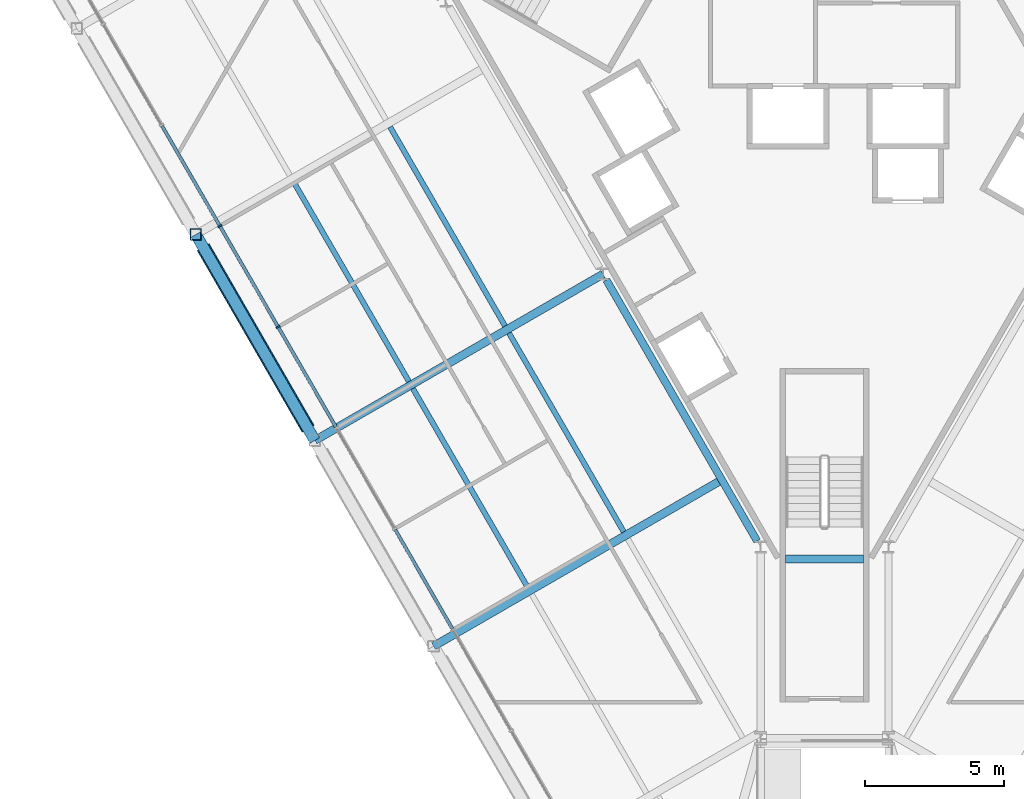
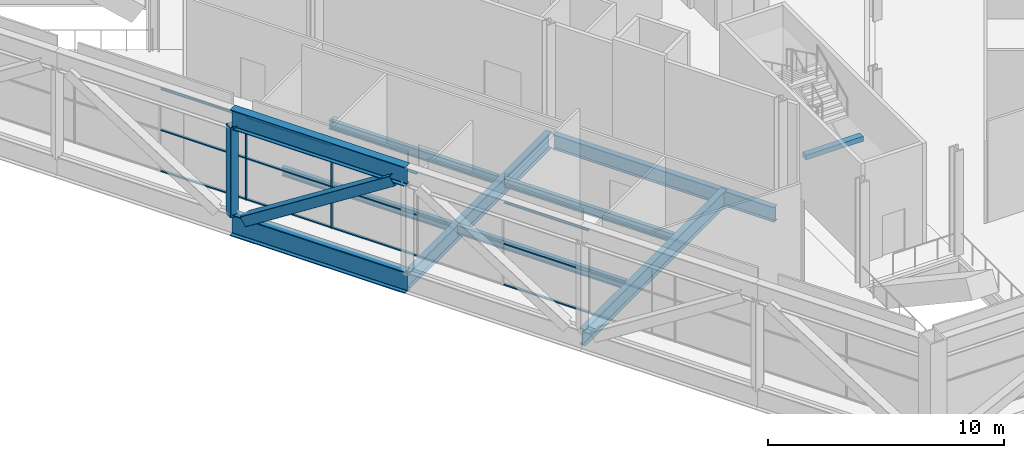
# One storey, part 3 of 20: 18 members, 8 beams, 1 element without a shape of its own.
"""IFC4 building model written with IfcOpenShell, lengths in metres."""

from ifc_helpers import new_model, si_unit, direction, frame, origin, origin_2d, place, context, subcontext, project, spatial, rectangle, hollow_rectangle, i_section, extrude, material, layer, layer_set, material_profile, profile_set, type_object, element, aggregate, save


model = new_model("IFC4")

# Units and contexts
model_context = context("Model", 3, precision=1e-05, world=origin(), true_north=direction((0.0, 1.0)))
body_context = subcontext(model_context, "Body", "Model", "MODEL_VIEW")
ifc_project = project(units=[si_unit("LENGTHUNIT", "METRE"), si_unit("AREAUNIT", "SQUARE_METRE"), si_unit("VOLUMEUNIT", "CUBIC_METRE"), si_unit("PLANEANGLEUNIT", "RADIAN"), si_unit("MASSUNIT", "GRAM", prefix="KILO")], contexts=[model_context])

# Site, building, storey
site_placement = place(None, origin())
site = spatial("IfcSite", under=ifc_project, at=site_placement, CompositionType="ELEMENT")
building_placement = place(site_placement, origin())
building = spatial("IfcBuilding", under=site, at=building_placement, Name="Verrane Prism Tower", CompositionType="ELEMENT")
storey_placement = place(building_placement, frame((0.0, 0.0, 12.0)))
storey = spatial("IfcBuildingStorey", under=building, at=storey_placement, Name="L01", CompositionType="ELEMENT", Elevation=12.0)

# Curtain wall, members
ifc_material_1 = material(Name="Aluminium and glass curtain wall", Category="aluminium")
ifc_layer = layer(ifc_material_1, 0.199951171875)
ifc_layer_set = layer_set([ifc_layer], Name="CWB-1 retail curtain wall")
curtain_wall_type = type_object("IfcCurtainWallType", Name="CWB-1 retail curtain wall", PredefinedType="NOTDEFINED", material=ifc_layer_set)
curtain_wall_placement = place(storey_placement, origin())
curtain_wall = element("IfcCurtainWall", 1, at=curtain_wall_placement, inside=storey, type_object=curtain_wall_type, Name="Retail curtain wall L01 4", PredefinedType="NOTDEFINED")
ifc_material_2 = material(Name="Aluminium", Category="aluminium")
ifc_material_profile_1 = material_profile(ifc_material_2, rectangle(XDim=0.159912109375, YDim=0.06005859375, at=origin_2d()), Name="CWB-M 60x160 mullion")
ifc_profile_set_1 = profile_set([ifc_material_profile_1], Name="Aluminium")
member_type_1 = type_object("IfcMemberType", Name="CWB-M 60x160 mullion", PredefinedType="MULLION", material=ifc_profile_set_1)
member_1_placement = place(storey_placement, frame((-21.74560546875, -2.87548828125, 0.0), z_axis=(0.0, 0.0, 1.0), x_axis=(0.866025335097, 0.50000011897, 0.0)))
member_1 = element("IfcMember", 2, at=member_1_placement, type_object=member_type_1, Name="CWB14 mullion 5", PredefinedType="MULLION", context=body_context, shape_type="SweptSolid", body=[
    extrude(rectangle(XDim=0.159912109375, YDim=0.06005859375, at=origin_2d()), origin(), (0.0, 0.0, 1.0), 4.2900390625),
])
member_2_placement = place(storey_placement, frame((-19.64990234375, -6.505126953125, 0.0), z_axis=(0.0, 0.0, 1.0), x_axis=(0.866025335097, 0.50000011897, 0.0)))
member_2 = element("IfcMember", 3, at=member_2_placement, type_object=member_type_1, Name="CWB14 mullion 6", PredefinedType="MULLION", context=body_context, shape_type="SweptSolid", body=[
    extrude(rectangle(XDim=0.159912109375, YDim=0.06005859375, at=origin_2d()), origin(), (0.0, 0.0, 1.0), 4.2900390625),
])
ifc_material_3 = material(Name="Aluminium", Category="aluminium")
ifc_material_profile_2 = material_profile(ifc_material_3, rectangle(XDim=0.1201171875, YDim=0.06005859375, at=origin_2d()), Name="CWB-T 60x120 transom")
ifc_profile_set_2 = profile_set([ifc_material_profile_2], Name="Aluminium")
member_type_2 = type_object("IfcMemberType", Name="CWB-T 60x120 transom", PredefinedType="USERDEFINED", material=ifc_profile_set_2)
member_3_placement = place(storey_placement, frame((-23.826416015625, 0.728271484375, 0.030029296875), z_axis=(0.500022567122, -0.866012374259, 0.0), x_axis=(0.866012374259, 0.500022567122, 0.0)))
member_3 = element("IfcMember", 4, at=member_3_placement, type_object=member_type_2, Name="CWB14 transom 4.1", ObjectType="TRANSOM", PredefinedType="USERDEFINED", context=body_context, shape_type="SweptSolid", body=[
    extrude(rectangle(XDim=0.1201171875, YDim=0.06005859375, at=origin_2d()), origin(), (0.0, 0.0, 1.0), 4.131103515625),
])
member_4_placement = place(storey_placement, frame((-23.826416015625, 0.728271484375, 2.14501953125), z_axis=(0.500022567122, -0.866012374259, 0.0), x_axis=(0.866012374259, 0.500022567122, 0.0)))
member_4 = element("IfcMember", 5, at=member_4_placement, type_object=member_type_2, Name="CWB14 transom 4.2", ObjectType="TRANSOM", PredefinedType="USERDEFINED", context=body_context, shape_type="SweptSolid", body=[
    extrude(rectangle(XDim=0.1201171875, YDim=0.06005859375, at=origin_2d()), origin(), (0.0, 0.0, 1.0), 4.131103515625),
])
member_5_placement = place(storey_placement, frame((-23.826416015625, 0.728271484375, 4.260009765625), z_axis=(0.500022567122, -0.866012374259, 0.0), x_axis=(0.866012374259, 0.500022567122, 0.0)))
member_5 = element("IfcMember", 6, at=member_5_placement, type_object=member_type_2, Name="CWB14 transom 4.3", ObjectType="TRANSOM", PredefinedType="USERDEFINED", context=body_context, shape_type="SweptSolid", body=[
    extrude(rectangle(XDim=0.1201171875, YDim=0.06005859375, at=origin_2d()), origin(), (0.0, 0.0, 1.0), 4.131103515625),
])
member_6_placement = place(storey_placement, frame((-21.730712890625, -2.9013671875, 0.030029296875), z_axis=(0.499996977546, -0.866027148792, 0.0), x_axis=(0.866027148792, 0.499996977546, 0.0)))
member_6 = element("IfcMember", 7, at=member_6_placement, type_object=member_type_2, Name="CWB14 transom 5.1", ObjectType="TRANSOM", PredefinedType="USERDEFINED", context=body_context, shape_type="SweptSolid", body=[
    extrude(rectangle(XDim=0.1201171875, YDim=0.06005859375, at=origin_2d()), origin(), (0.0, 0.0, 1.0), 4.13134765625),
])
member_7_placement = place(storey_placement, frame((-21.730712890625, -2.9013671875, 2.14501953125), z_axis=(0.499996977546, -0.866027148792, 0.0), x_axis=(0.866027148792, 0.499996977546, 0.0)))
member_7 = element("IfcMember", 8, at=member_7_placement, type_object=member_type_2, Name="CWB14 transom 5.2", ObjectType="TRANSOM", PredefinedType="USERDEFINED", context=body_context, shape_type="SweptSolid", body=[
    extrude(rectangle(XDim=0.1201171875, YDim=0.06005859375, at=origin_2d()), origin(), (0.0, 0.0, 1.0), 4.13134765625),
])
member_8_placement = place(storey_placement, frame((-21.730712890625, -2.9013671875, 4.260009765625), z_axis=(0.499996977546, -0.866027148792, 0.0), x_axis=(0.866027148792, 0.499996977546, 0.0)))
member_8 = element("IfcMember", 9, at=member_8_placement, type_object=member_type_2, Name="CWB14 transom 5.3", ObjectType="TRANSOM", PredefinedType="USERDEFINED", context=body_context, shape_type="SweptSolid", body=[
    extrude(rectangle(XDim=0.1201171875, YDim=0.06005859375, at=origin_2d()), origin(), (0.0, 0.0, 1.0), 4.13134765625),
])
member_9_placement = place(storey_placement, frame((-19.635009765625, -6.53125, 0.030029296875), z_axis=(0.499996977546, -0.866027148792, 0.0), x_axis=(0.866027148792, 0.499996977546, 0.0)))
member_9 = element("IfcMember", 10, at=member_9_placement, type_object=member_type_2, Name="CWB14 transom 6.1", ObjectType="TRANSOM", PredefinedType="USERDEFINED", context=body_context, shape_type="SweptSolid", body=[
    extrude(rectangle(XDim=0.1201171875, YDim=0.06005859375, at=origin_2d()), origin(), (0.0, 0.0, 1.0), 4.13134765625),
])
member_10_placement = place(storey_placement, frame((-19.635009765625, -6.53125, 2.14501953125), z_axis=(0.499996977546, -0.866027148792, 0.0), x_axis=(0.866027148792, 0.499996977546, 0.0)))
member_10 = element("IfcMember", 11, at=member_10_placement, type_object=member_type_2, Name="CWB14 transom 6.2", ObjectType="TRANSOM", PredefinedType="USERDEFINED", context=body_context, shape_type="SweptSolid", body=[
    extrude(rectangle(XDim=0.1201171875, YDim=0.06005859375, at=origin_2d()), origin(), (0.0, 0.0, 1.0), 4.13134765625),
])
member_11_placement = place(storey_placement, frame((-19.635009765625, -6.53125, 4.260009765625), z_axis=(0.499996977546, -0.866027148792, 0.0), x_axis=(0.866027148792, 0.499996977546, 0.0)))
member_11 = element("IfcMember", 12, at=member_11_placement, type_object=member_type_2, Name="CWB14 transom 6.3", ObjectType="TRANSOM", PredefinedType="USERDEFINED", context=body_context, shape_type="SweptSolid", body=[
    extrude(rectangle(XDim=0.1201171875, YDim=0.06005859375, at=origin_2d()), origin(), (0.0, 0.0, 1.0), 4.13134765625),
])
member_12_placement = place(storey_placement, frame((-15.443603515625, -13.790771484375, 0.030029296875), z_axis=(0.499996977546, -0.866027148792, 0.0), x_axis=(0.866027148792, 0.499996977546, 0.0)))
member_12 = element("IfcMember", 13, at=member_12_placement, type_object=member_type_2, Name="CWB14 transom 8.1", ObjectType="TRANSOM", PredefinedType="USERDEFINED", context=body_context, shape_type="SweptSolid", body=[
    extrude(rectangle(XDim=0.1201171875, YDim=0.06005859375, at=origin_2d()), origin(), (0.0, 0.0, 1.0), 4.13134765625),
])
member_13_placement = place(storey_placement, frame((-15.443603515625, -13.790771484375, 2.14501953125), z_axis=(0.499996977546, -0.866027148792, 0.0), x_axis=(0.866027148792, 0.499996977546, 0.0)))
member_13 = element("IfcMember", 14, at=member_13_placement, type_object=member_type_2, Name="CWB14 transom 8.2", ObjectType="TRANSOM", PredefinedType="USERDEFINED", context=body_context, shape_type="SweptSolid", body=[
    extrude(rectangle(XDim=0.1201171875, YDim=0.06005859375, at=origin_2d()), origin(), (0.0, 0.0, 1.0), 4.13134765625),
])
member_14_placement = place(storey_placement, frame((-15.443603515625, -13.790771484375, 4.260009765625), z_axis=(0.499996977546, -0.866027148792, 0.0), x_axis=(0.866027148792, 0.499996977546, 0.0)))
member_14 = element("IfcMember", 15, at=member_14_placement, type_object=member_type_2, Name="CWB14 transom 8.3", ObjectType="TRANSOM", PredefinedType="USERDEFINED", context=body_context, shape_type="SweptSolid", body=[
    extrude(rectangle(XDim=0.1201171875, YDim=0.06005859375, at=origin_2d()), origin(), (0.0, 0.0, 1.0), 4.13134765625),
])
aggregate(curtain_wall, [member_1, member_2, member_3, member_4, member_5, member_6, member_7, member_8, member_9, member_10, member_11, member_12, member_13, member_14])

# Beams
ifc_material_4 = material(Name="Steel A992", Category="steel")
ifc_material_profile_3 = material_profile(ifc_material_4, i_section(OverallWidth=0.2666015625, OverallDepth=0.76708984375, WebThickness=0.014892578125, FlangeThickness=0.023681640625, FilletRadius=0.0166015625, at=origin_2d()), Name="W30x124")
ifc_profile_set_3 = profile_set([ifc_material_profile_3], Name="Steel A992")
beam_type_1 = type_object("IfcBeamType", Name="Core ring girder W30x124", PredefinedType="BEAM", material=ifc_profile_set_3)
beam_1_placement = place(storey_placement, frame((-7.844482421875, -4.817138671875, -0.633544921875), z_axis=(0.500022744667, -0.866012271747, 0.0), x_axis=(0.866012271747, 0.500022744667, 0.0)))
element("IfcBeam", 16, at=beam_1_placement, inside=storey, type_object=beam_type_1, Name="Core ring girder L01", PredefinedType="BEAM", context=body_context, shape_type="SweptSolid", body=[
    extrude(i_section(OverallWidth=0.2666015625, OverallDepth=0.76708984375, WebThickness=0.014892578125, FlangeThickness=0.023681640625, FilletRadius=0.0166015625, at=origin_2d()), origin(), (0.0, 0.0, 1.0), 10.837890625),
])
ifc_material_5 = material(Name="Steel A992", Category="steel")
ifc_material_profile_4 = material_profile(ifc_material_5, i_section(OverallWidth=0.1904296875, OverallDepth=0.457275390625, WebThickness=0.009033203125, FlangeThickness=0.014404296875, FilletRadius=0.01025390625, at=origin_2d()), Name="W18x50")
ifc_profile_set_4 = profile_set([ifc_material_profile_4], Name="Steel A992")
beam_type_2 = type_object("IfcBeamType", Name="Floor beam W18x50", PredefinedType="BEAM", material=ifc_profile_set_4)
beam_2_placement = place(storey_placement, frame((-11.48974609375, -6.47314453125, -0.388671875), z_axis=(-0.500010437756, 0.866019377459, 0.0), x_axis=(-0.866019377459, -0.500010437756, 0.0)))
element("IfcBeam", 17, at=beam_2_placement, inside=storey, type_object=beam_type_2, Name="Floor beam L01", PredefinedType="BEAM", context=body_context, shape_type="SweptSolid", body=[
    extrude(i_section(OverallWidth=0.1904296875, OverallDepth=0.457275390625, WebThickness=0.009033203125, FlangeThickness=0.014404296875, FilletRadius=0.01025390625, at=origin_2d()), origin(), (0.0, 0.0, 1.0), 8.267822265625),
])
beam_3_placement = place(storey_placement, frame((-14.947021484375, -8.46875, -0.388671875), z_axis=(-0.500007931068, 0.866020824732, 0.0), x_axis=(-0.866020824732, -0.500007931068, 0.0)))
element("IfcBeam", 18, at=beam_3_placement, inside=storey, type_object=beam_type_2, Name="Floor beam L01", PredefinedType="BEAM", context=body_context, shape_type="SweptSolid", body=[
    extrude(i_section(OverallWidth=0.1904296875, OverallDepth=0.457275390625, WebThickness=0.009033203125, FlangeThickness=0.014404296875, FilletRadius=0.01025390625, at=origin_2d()), origin(), (0.0, 0.0, 1.0), 8.266357421875),
])
beam_4_placement = place(storey_placement, frame((-7.2197265625, -13.876953125, -0.388671875), z_axis=(-0.499987846292, 0.866032420617, 0.0), x_axis=(-0.866032420617, -0.499987846292, 0.0)))
element("IfcBeam", 19, at=beam_4_placement, inside=storey, type_object=beam_type_2, Name="Floor beam L01", PredefinedType="BEAM", context=body_context, shape_type="SweptSolid", body=[
    extrude(i_section(OverallWidth=0.1904296875, OverallDepth=0.457275390625, WebThickness=0.009033203125, FlangeThickness=0.014404296875, FilletRadius=0.01025390625, at=origin_2d()), origin(), (0.0, 0.0, 1.0), 8.255126953125),
])
beam_5_placement = place(storey_placement, frame((-10.67626953125, -15.8701171875, -0.388671875), z_axis=(-0.500010949126, 0.866019082211, 0.0), x_axis=(-0.866019082211, -0.500010949126, 0.0)))
element("IfcBeam", 20, at=beam_5_placement, inside=storey, type_object=beam_type_2, Name="Floor beam L01", PredefinedType="BEAM", context=body_context, shape_type="SweptSolid", body=[
    extrude(i_section(OverallWidth=0.1904296875, OverallDepth=0.457275390625, WebThickness=0.009033203125, FlangeThickness=0.014404296875, FilletRadius=0.01025390625, at=origin_2d()), origin(), (0.0, 0.0, 1.0), 8.253173828125),
])
ifc_material_6 = material(Name="Steel A992", Category="steel")
ifc_material_profile_5 = material_profile(ifc_material_6, i_section(OverallWidth=0.2919921875, OverallDepth=0.845703125, WebThickness=0.015380859375, FlangeThickness=0.0244140625, FilletRadius=0.017822265625, at=origin_2d()), Name="W33x141")
ifc_profile_set_5 = profile_set([ifc_material_profile_5], Name="Steel A992")
beam_type_3 = type_object("IfcBeamType", Name="Radial girder W33x141", PredefinedType="BEAM", material=ifc_profile_set_5)
beam_6_placement = place(storey_placement, frame((-18.330078125, -10.590087890625, -0.642822265625), z_axis=(0.866021154013, 0.500007360747, 0.0), x_axis=(-0.500007360747, 0.866021154013, 0.0)))
element("IfcBeam", 21, at=beam_6_placement, inside=storey, type_object=beam_type_3, Name="Radial girder L01", PredefinedType="BEAM", context=body_context, shape_type="SweptSolid", body=[
    extrude(i_section(OverallWidth=0.2919921875, OverallDepth=0.845703125, WebThickness=0.015380859375, FlangeThickness=0.0244140625, FilletRadius=0.017822265625, at=origin_2d()), origin(), (0.0, 0.0, 1.0), 11.967041015625),
])
beam_7_placement = place(storey_placement, frame((-14.06005859375, -17.989990234375, -0.642822265625), z_axis=(0.866031719379, 0.499989060909, 0.0), x_axis=(-0.499989060909, 0.866031719379, 0.0)))
element("IfcBeam", 22, at=beam_7_placement, inside=storey, type_object=beam_type_3, Name="Radial girder L01", PredefinedType="BEAM", context=body_context, shape_type="SweptSolid", body=[
    extrude(i_section(OverallWidth=0.2919921875, OverallDepth=0.845703125, WebThickness=0.015380859375, FlangeThickness=0.0244140625, FilletRadius=0.017822265625, at=origin_2d()), origin(), (0.0, 0.0, 1.0), 11.969482421875),
])
ifc_material_7 = material(Name="Concrete C40/50", Category="concrete")
ifc_material_profile_6 = material_profile(ifc_material_7, rectangle(XDim=0.300048828125, YDim=0.25, at=origin_2d()), Name="RC 300x250")
ifc_profile_set_6 = profile_set([ifc_material_profile_6], Name="Concrete C40/50")
beam_type_4 = type_object("IfcBeamType", Name="Stair landing trimmer beam 300x250 concrete C40/50", PredefinedType="BEAM", material=ifc_profile_set_6)
beam_8_placement = place(storey_placement, frame((1.39990234375, -14.85009765625, 2.375), z_axis=(-1.0, 0.0, 0.0), x_axis=(0.0, -1.0, 0.0)))
element("IfcBeam", 23, at=beam_8_placement, inside=storey, type_object=beam_type_4, Name="Stair 3 landing trimmer beam", PredefinedType="BEAM", context=body_context, shape_type="SweptSolid", body=[
    extrude(rectangle(XDim=0.300048828125, YDim=0.25, at=origin_2d()), origin(), (0.0, 0.0, 1.0), 2.7998046875),
])

# Members
ifc_material_8 = material(Name="Steel A992", Category="steel")
ifc_material_profile_7 = material_profile(ifc_material_8, i_section(OverallWidth=0.4013671875, OverallDepth=1.000732421875, WebThickness=0.01904296875, FlangeThickness=0.0361328125, FilletRadius=0.030029296875, at=origin_2d()), Name="W40x249")
ifc_profile_set_7 = profile_set([ifc_material_profile_7], Name="Steel A992")
member_type_3 = type_object("IfcMemberType", Name="Transfer truss chord W40x249", PredefinedType="CHORD", material=ifc_profile_set_7)
member_15_placement = place(storey_placement, frame((-22.610107421875, -3.179931640625, 4.739501953125), z_axis=(0.500155435615, -0.86593564439, 0.0), x_axis=(0.86593564439, 0.500155435615, 0.0)))
element("IfcMember", 24, at=member_15_placement, inside=storey, type_object=member_type_3, Name="Truss chord L01", PredefinedType="CHORD", context=body_context, shape_type="SweptSolid", body=[
    extrude(i_section(OverallWidth=0.4013671875, OverallDepth=1.000732421875, WebThickness=0.01904296875, FlangeThickness=0.0361328125, FilletRadius=0.030029296875, at=origin_2d()), origin(), (0.0, 0.0, 1.0), 8.557373046875),
])
ifc_material_9 = material(Name="Steel A992", Category="steel")
ifc_material_profile_8 = material_profile(ifc_material_9, i_section(OverallWidth=0.40380859375, OverallDepth=1.11767578125, WebThickness=0.026123046875, FlangeThickness=0.044921875, FilletRadius=0.02001953125, at=origin_2d()), Name="W44x335")
ifc_profile_set_8 = profile_set([ifc_material_profile_8], Name="Steel A992")
member_type_4 = type_object("IfcMemberType", Name="Transfer truss chord W44x335", PredefinedType="CHORD", material=ifc_profile_set_8)
member_16_placement = place(storey_placement, frame((-22.610107421875, -3.179931640625, -0.72119140625), z_axis=(0.500155435615, -0.86593564439, 0.0), x_axis=(0.86593564439, 0.500155435615, 0.0)))
element("IfcMember", 25, at=member_16_placement, inside=storey, type_object=member_type_4, Name="Truss chord L01", PredefinedType="CHORD", context=body_context, shape_type="SweptSolid", body=[
    extrude(i_section(OverallWidth=0.40380859375, OverallDepth=1.11767578125, WebThickness=0.026123046875, FlangeThickness=0.044921875, FilletRadius=0.02001953125, at=origin_2d()), origin(), (0.0, 0.0, 1.0), 8.557373046875),
])
ifc_material_10 = material(Name="Steel A500 Grade C", Category="steel")
ifc_material_profile_9 = material_profile(ifc_material_10, hollow_rectangle(XDim=0.508056640625, YDim=0.508056640625, WallThickness=0.01904296875, InnerFilletRadius=0.009521484375, OuterFilletRadius=0.028564453125, at=origin_2d()), Name="HSS20x20x3/4")
ifc_profile_set_9 = profile_set([ifc_material_profile_9], Name="Steel A500 Grade C")
member_type_5 = type_object("IfcMemberType", Name="Transfer truss diagonal HSS20x20x3/4", PredefinedType="BRACE", material=ifc_profile_set_9)
member_17_placement = place(storey_placement, frame((-22.280517578125, -3.75048828125, -0.30078125), z_axis=(0.421636436752, -0.729955256659, 0.537947988637), x_axis=(0.865924412522, 0.500174881215, 0.0)))
element("IfcMember", 26, at=member_17_placement, inside=storey, type_object=member_type_5, Name="Truss diagonal L01", PredefinedType="BRACE", context=body_context, shape_type="SweptSolid", body=[
    extrude(hollow_rectangle(XDim=0.508056640625, YDim=0.508056640625, WallThickness=0.01904296875, InnerFilletRadius=0.009521484375, OuterFilletRadius=0.028564453125, at=origin_2d()), origin(), (0.0, 0.0, 1.0), 8.643798828125),
])
ifc_material_11 = material(Name="Steel A500 Grade C", Category="steel")
ifc_material_profile_10 = material_profile(ifc_material_11, hollow_rectangle(XDim=0.406494140625, YDim=0.406494140625, WallThickness=0.01904296875, InnerFilletRadius=0.009521484375, OuterFilletRadius=0.028564453125, at=origin_2d()), Name="HSS16x16x3/4")
ifc_profile_set_10 = profile_set([ifc_material_profile_10], Name="Steel A500 Grade C")
member_type_6 = type_object("IfcMemberType", Name="Transfer truss post HSS16x16x3/4", PredefinedType="POST", material=ifc_profile_set_10)
member_18_placement = place(storey_placement, frame((-22.610107421875, -3.179931640625, -0.30078125), z_axis=(0.0, 0.0, 1.0), x_axis=(1.0, 0.0, 0.0)))
element("IfcMember", 27, at=member_18_placement, inside=storey, type_object=member_type_6, Name="Truss post L01", PredefinedType="POST", context=body_context, shape_type="SweptSolid", body=[
    extrude(hollow_rectangle(XDim=0.406494140625, YDim=0.406494140625, WallThickness=0.01904296875, InnerFilletRadius=0.009521484375, OuterFilletRadius=0.028564453125, at=origin_2d()), origin(), (0.0, 0.0, 1.0), 4.64990234375),
])

save(model, "model.ifc")
